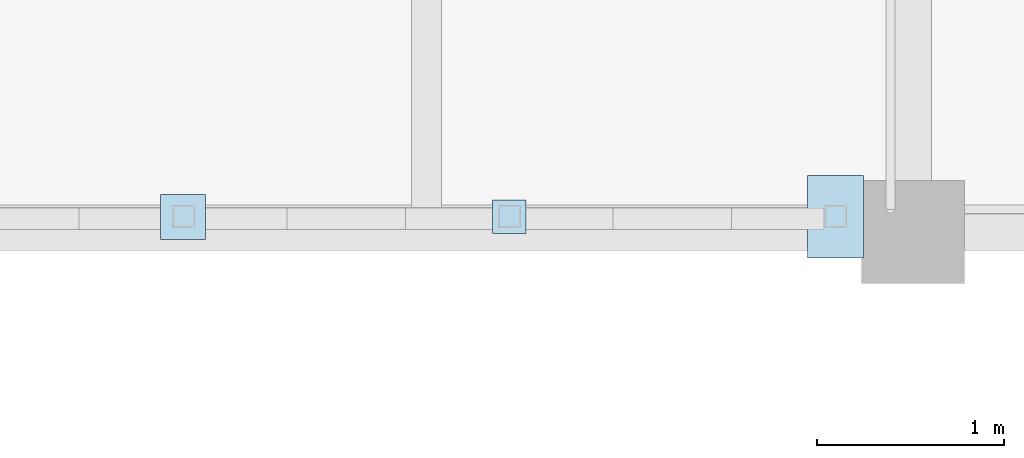
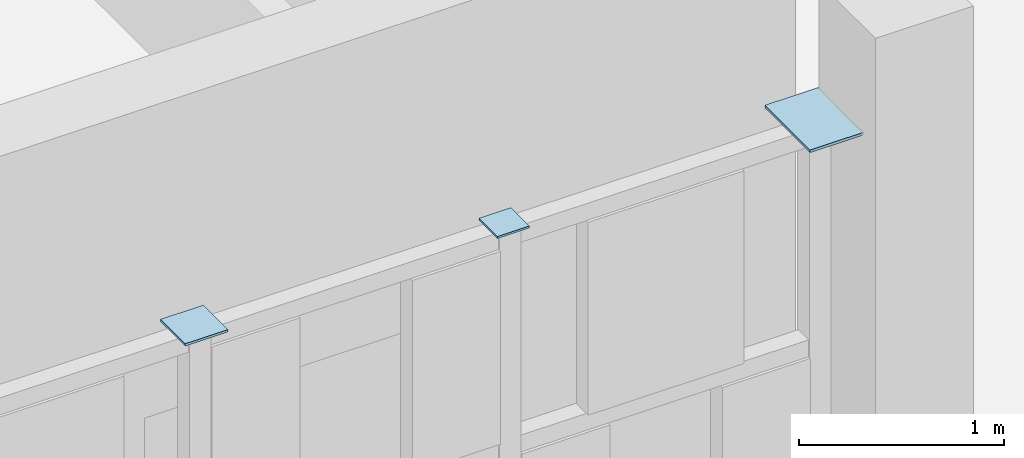
# One storey, part 86 of 119: 3 plates.
"""IFC4 building model written with IfcOpenShell, lengths in metres."""

from ifc_helpers import new_model, si_unit, direction, frame, origin, origin_2d, place, context, subcontext, project, spatial, rectangle, extrude, material, layer, layer_set, type_object, element, save


model = new_model("IFC4")

# Units and contexts
model_context = context("Model", 3, precision=1e-05, world=origin(), true_north=direction((0.0, 1.0)))
body_context = subcontext(model_context, "Body", "Model", "MODEL_VIEW")
ifc_project = project(units=[si_unit("LENGTHUNIT", "METRE"), si_unit("AREAUNIT", "SQUARE_METRE"), si_unit("VOLUMEUNIT", "CUBIC_METRE"), si_unit("PLANEANGLEUNIT", "RADIAN"), si_unit("MASSUNIT", "GRAM", prefix="KILO")], contexts=[model_context])

# Site, building, storey
site_placement = place(None, origin())
site = spatial("IfcSite", under=ifc_project, at=site_placement, CompositionType="ELEMENT")
building_placement = place(site_placement, origin())
building = spatial("IfcBuilding", under=site, at=building_placement, Name="Celorna Specialist Clinic", CompositionType="ELEMENT")
storey_placement = place(building_placement, frame((0.0, 0.0, 9.60009765625)))
storey = spatial("IfcBuildingStorey", under=building, at=storey_placement, Name="L02", CompositionType="ELEMENT", Elevation=9.60009765625)

# Plates
ifc_material = material(Name="Steel S355", Category="steel")
ifc_layer_1 = layer(ifc_material, 0.011962890625, Name="Steel S355")
ifc_layer_set_1 = layer_set([ifc_layer_1], Name="Steel S355")
plate_type_1 = type_object("IfcPlateType", Name="EP-06", PredefinedType="SHEET", material=ifc_layer_set_1)
plate_1_placement = place(storey_placement, frame((130.4423828125, 96.580078125, 3.83984375), z_axis=(0.0, 0.0, 1.0), x_axis=(1.0, 0.0, 0.0)))
element("IfcPlate", 1, at=plate_1_placement, inside=storey, type_object=plate_type_1, Name="Screen post cap plate EP-06 #1212", PredefinedType="SHEET", context=body_context, shape_type="SweptSolid", body=[
    extrude(rectangle(XDim=0.179931640625, YDim=0.179931640625, at=origin_2d()), origin(), (0.0, 0.0, 1.0), 0.011962890625),
])
ifc_layer_2 = layer(ifc_material, 0.01611328125, Name="Steel S355")
ifc_layer_set_2 = layer_set([ifc_layer_2], Name="Steel S355")
plate_type_2 = type_object("IfcPlateType", Name="EP-07", PredefinedType="SHEET", material=ifc_layer_set_2)
plate_2_placement = place(storey_placement, frame((132.18505859375, 96.580078125, 3.83984375), z_axis=(0.0, 0.0, 1.0), x_axis=(1.0, 0.0, 0.0)))
element("IfcPlate", 2, at=plate_2_placement, inside=storey, type_object=plate_type_2, Name="Screen post cap plate EP-07 #1213", PredefinedType="SHEET", context=body_context, shape_type="SweptSolid", body=[
    extrude(rectangle(XDim=0.300048828125, YDim=0.43994140625, at=origin_2d()), origin(), (0.0, 0.0, 1.0), 0.01611328125),
])
ifc_layer_3 = layer(ifc_material, 0.013916015625, Name="Steel S355")
ifc_layer_set_3 = layer_set([ifc_layer_3], Name="Steel S355")
plate_type_3 = type_object("IfcPlateType", Name="EP-08", PredefinedType="SHEET", material=ifc_layer_set_3)
plate_3_placement = place(storey_placement, frame((128.699951171875, 96.580078125, 3.83984375), z_axis=(0.0, 0.0, 1.0), x_axis=(1.0, 0.0, 0.0)))
element("IfcPlate", 3, at=plate_3_placement, inside=storey, type_object=plate_type_3, Name="Screen post cap plate EP-08 #1211", PredefinedType="SHEET", context=body_context, shape_type="SweptSolid", body=[
    extrude(rectangle(XDim=0.239990234375, YDim=0.239990234375, at=origin_2d()), origin(), (0.0, 0.0, 1.0), 0.013916015625),
])

save(model, "model.ifc")
